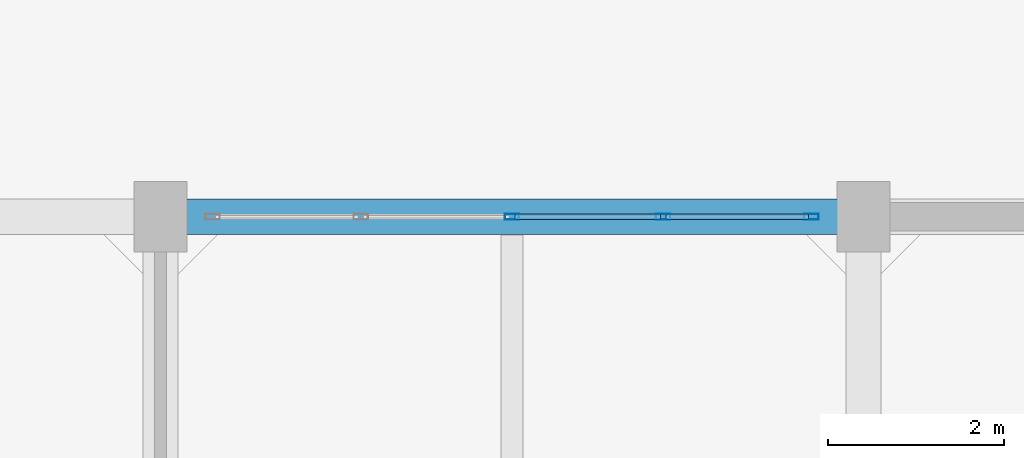
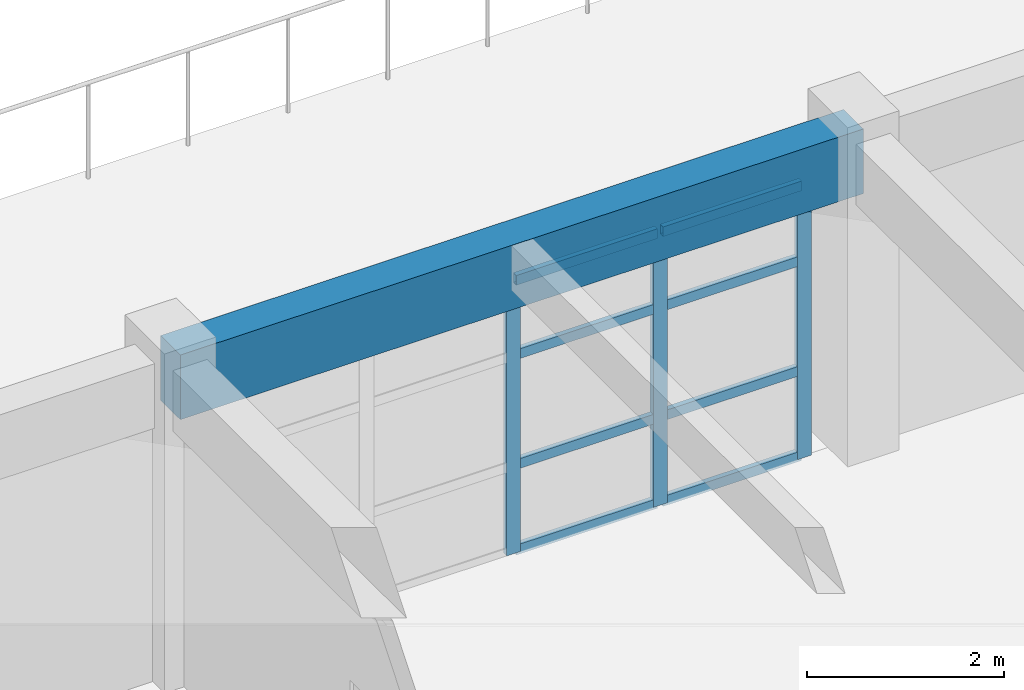
# One storey, part 19 of 30: 11 members, 1 beam, 1 element without a shape of its own.
"""IFC4 building model written with IfcOpenShell, lengths in metres."""

from ifc_helpers import new_model, si_unit, direction, frame, origin, origin_2d, place, context, subcontext, project, spatial, rectangle, hollow_rectangle, extrude, material, layer, layer_set, material_profile, profile_set, type_object, element, aggregate, save


model = new_model("IFC4")

# Units and contexts
model_context = context("Model", 3, precision=1e-05, world=origin(), true_north=direction((0.0, 1.0)))
body_context = subcontext(model_context, "Body", "Model", "MODEL_VIEW")
ifc_project = project(units=[si_unit("LENGTHUNIT", "METRE"), si_unit("AREAUNIT", "SQUARE_METRE"), si_unit("VOLUMEUNIT", "CUBIC_METRE"), si_unit("PLANEANGLEUNIT", "RADIAN"), si_unit("MASSUNIT", "GRAM", prefix="KILO")], contexts=[model_context])

# Site, building, storey
site_placement = place(None, origin())
site = spatial("IfcSite", under=ifc_project, at=site_placement, CompositionType="ELEMENT")
building_placement = place(site_placement, origin())
building = spatial("IfcBuilding", under=site, at=building_placement, Name="Canggui Botanical Conservatory", CompositionType="ELEMENT")
storey_placement = place(building_placement, frame((0.0, 0.0, 19.199951171875)))
storey = spatial("IfcBuildingStorey", under=building, at=storey_placement, Name="L05", CompositionType="ELEMENT", Elevation=19.199951171875)

# Beam
ifc_material_1 = material(Name="Concrete C35", Category="concrete")
ifc_material_profile_1 = material_profile(ifc_material_1, rectangle(XDim=0.39990234375, YDim=0.800048828125, at=origin_2d()), Name="RB 400x800")
ifc_profile_set_1 = profile_set([ifc_material_profile_1], Name="Concrete C35")
beam_type = type_object("IfcBeamType", Name="BM-KL09", PredefinedType="BEAM", material=ifc_profile_set_1)
beam_placement = place(storey_placement, frame((162.0, 74.0, 3.56005859375), z_axis=(1.0, 0.0, 0.0), x_axis=(0.0, 1.0, 0.0)))
element("IfcBeam", 1, at=beam_placement, inside=storey, type_object=beam_type, Name="Frame Girder L05 Y74-4", PredefinedType="BEAM", context=body_context, shape_type="SweptSolid", body=[
    extrude(rectangle(XDim=0.39990234375, YDim=0.800048828125, at=origin_2d()), origin(), (0.0, 0.0, 1.0), 8.0),
])

# Curtain wall, members
ifc_material_2 = material(Name="Thermally Broken Aluminium", Category="aluminium")
ifc_layer = layer(ifc_material_2, 0.1650390625, Name="Thermally Broken Aluminium", Category="aluminium")
ifc_layer_set = layer_set([ifc_layer], Name="Thermally Broken Aluminium")
curtain_wall_type = type_object("IfcCurtainWallType", Name="CW-UNIT-B", PredefinedType="USERDEFINED", material=ifc_layer_set)
curtain_wall_placement = place(storey_placement, origin())
curtain_wall = element("IfcCurtainWall", 2, at=curtain_wall_placement, inside=storey, type_object=curtain_wall_type, Name="Facade Curtain Wall CW-TWR-L05-15", ObjectType="UNITISED CURTAIN WALL", PredefinedType="USERDEFINED")
ifc_material_profile_2 = material_profile(ifc_material_2, hollow_rectangle(XDim=0.06494140625, YDim=0.1650390625, WallThickness=0.00390625, at=origin_2d()), Name="CWM 65x165x4")
ifc_profile_set_2 = profile_set([ifc_material_profile_2], Name="Thermally Broken Aluminium")
member_type_1 = type_object("IfcMemberType", Name="CWM-02", PredefinedType="MULLION", material=ifc_profile_set_2)
member_1_placement = place(storey_placement, frame((166.0, 74.0, 0.0), z_axis=(0.0, 0.0, 1.0), x_axis=(0.0, 1.0, 0.0)))
member_1 = element("IfcMember", 3, at=member_1_placement, type_object=member_type_1, Name="CW-02 mullion 3", PredefinedType="MULLION", context=body_context, shape_type="SweptSolid", body=[
    extrude(hollow_rectangle(XDim=0.06494140625, YDim=0.1650390625, WallThickness=0.00390625, at=origin_2d()), origin(), (0.0, 0.0, 1.0), 3.400146484375),
])
member_2_placement = place(storey_placement, frame((167.719970703125, 74.0, 0.0), z_axis=(0.0, 0.0, 1.0), x_axis=(0.0, 1.0, 0.0)))
member_2 = element("IfcMember", 4, at=member_2_placement, type_object=member_type_1, Name="CW-02 mullion 4", PredefinedType="MULLION", context=body_context, shape_type="SweptSolid", body=[
    extrude(hollow_rectangle(XDim=0.06494140625, YDim=0.1650390625, WallThickness=0.00390625, at=origin_2d()), origin(), (0.0, 0.0, 1.0), 3.400146484375),
])
member_3_placement = place(storey_placement, frame((169.407470703125, 74.0, 0.0), z_axis=(0.0, 0.0, 1.0), x_axis=(0.0, 1.0, 0.0)))
member_3 = element("IfcMember", 5, at=member_3_placement, type_object=member_type_1, Name="CW-02 mullion 5", PredefinedType="MULLION", context=body_context, shape_type="SweptSolid", body=[
    extrude(hollow_rectangle(XDim=0.06494140625, YDim=0.1650390625, WallThickness=0.00390625, at=origin_2d()), origin(), (0.0, 0.0, 1.0), 3.400146484375),
])
ifc_material_profile_3 = material_profile(ifc_material_2, hollow_rectangle(XDim=0.06005859375, YDim=0.1201171875, WallThickness=0.00341796875, at=origin_2d()), Name="CWT 60x120x3.5")
ifc_profile_set_3 = profile_set([ifc_material_profile_3], Name="Thermally Broken Aluminium")
member_type_2 = type_object("IfcMemberType", Name="CWT-02", PredefinedType="USERDEFINED", material=ifc_profile_set_3)
member_4_placement = place(storey_placement, frame((166.032470703125, 74.0, 0.030029296875), z_axis=(1.0, 0.0, 0.0), x_axis=(0.0, 1.0, 0.0)))
member_4 = element("IfcMember", 6, at=member_4_placement, type_object=member_type_2, Name="CW-02 transom 3.1", ObjectType="TRANSOM", PredefinedType="USERDEFINED", context=body_context, shape_type="SweptSolid", body=[
    extrude(hollow_rectangle(XDim=0.06005859375, YDim=0.1201171875, WallThickness=0.00341796875, at=origin_2d()), origin(), (0.0, 0.0, 1.0), 1.655029296875),
])
member_5_placement = place(storey_placement, frame((166.032470703125, 74.0, 1.088134765625), z_axis=(1.0, 0.0, 0.0), x_axis=(0.0, 1.0, 0.0)))
member_5 = element("IfcMember", 7, at=member_5_placement, type_object=member_type_2, Name="CW-02 transom 3.2", ObjectType="TRANSOM", PredefinedType="USERDEFINED", context=body_context, shape_type="SweptSolid", body=[
    extrude(hollow_rectangle(XDim=0.06005859375, YDim=0.1201171875, WallThickness=0.00341796875, at=origin_2d()), origin(), (0.0, 0.0, 1.0), 1.655029296875),
])
member_6_placement = place(storey_placement, frame((166.032470703125, 74.0, 2.447998046875), z_axis=(1.0, 0.0, 0.0), x_axis=(0.0, 1.0, 0.0)))
member_6 = element("IfcMember", 8, at=member_6_placement, type_object=member_type_2, Name="CW-02 transom 3.3", ObjectType="TRANSOM", PredefinedType="USERDEFINED", context=body_context, shape_type="SweptSolid", body=[
    extrude(hollow_rectangle(XDim=0.06005859375, YDim=0.1201171875, WallThickness=0.00341796875, at=origin_2d()), origin(), (0.0, 0.0, 1.0), 1.655029296875),
])
member_7_placement = place(storey_placement, frame((166.032470703125, 74.0, 3.3701171875), z_axis=(1.0, 0.0, 0.0), x_axis=(0.0, 1.0, 0.0)))
member_7 = element("IfcMember", 9, at=member_7_placement, type_object=member_type_2, Name="CW-02 transom 3.4", ObjectType="TRANSOM", PredefinedType="USERDEFINED", context=body_context, shape_type="SweptSolid", body=[
    extrude(hollow_rectangle(XDim=0.06005859375, YDim=0.1201171875, WallThickness=0.00341796875, at=origin_2d()), origin(), (0.0, 0.0, 1.0), 1.655029296875),
])
member_8_placement = place(storey_placement, frame((167.75244140625, 74.0, 0.030029296875), z_axis=(1.0, 0.0, 0.0), x_axis=(0.0, 1.0, 0.0)))
member_8 = element("IfcMember", 10, at=member_8_placement, type_object=member_type_2, Name="CW-02 transom 4.1", ObjectType="TRANSOM", PredefinedType="USERDEFINED", context=body_context, shape_type="SweptSolid", body=[
    extrude(hollow_rectangle(XDim=0.06005859375, YDim=0.1201171875, WallThickness=0.00341796875, at=origin_2d()), origin(), (0.0, 0.0, 1.0), 1.62255859375),
])
member_9_placement = place(storey_placement, frame((167.75244140625, 74.0, 1.088134765625), z_axis=(1.0, 0.0, 0.0), x_axis=(0.0, 1.0, 0.0)))
member_9 = element("IfcMember", 11, at=member_9_placement, type_object=member_type_2, Name="CW-02 transom 4.2", ObjectType="TRANSOM", PredefinedType="USERDEFINED", context=body_context, shape_type="SweptSolid", body=[
    extrude(hollow_rectangle(XDim=0.06005859375, YDim=0.1201171875, WallThickness=0.00341796875, at=origin_2d()), origin(), (0.0, 0.0, 1.0), 1.62255859375),
])
member_10_placement = place(storey_placement, frame((167.75244140625, 74.0, 2.447998046875), z_axis=(1.0, 0.0, 0.0), x_axis=(0.0, 1.0, 0.0)))
member_10 = element("IfcMember", 12, at=member_10_placement, type_object=member_type_2, Name="CW-02 transom 4.3", ObjectType="TRANSOM", PredefinedType="USERDEFINED", context=body_context, shape_type="SweptSolid", body=[
    extrude(hollow_rectangle(XDim=0.06005859375, YDim=0.1201171875, WallThickness=0.00341796875, at=origin_2d()), origin(), (0.0, 0.0, 1.0), 1.62255859375),
])
member_11_placement = place(storey_placement, frame((167.75244140625, 74.0, 3.3701171875), z_axis=(1.0, 0.0, 0.0), x_axis=(0.0, 1.0, 0.0)))
member_11 = element("IfcMember", 13, at=member_11_placement, type_object=member_type_2, Name="CW-02 transom 4.4", ObjectType="TRANSOM", PredefinedType="USERDEFINED", context=body_context, shape_type="SweptSolid", body=[
    extrude(hollow_rectangle(XDim=0.06005859375, YDim=0.1201171875, WallThickness=0.00341796875, at=origin_2d()), origin(), (0.0, 0.0, 1.0), 1.62255859375),
])
aggregate(curtain_wall, [member_1, member_2, member_3, member_4, member_5, member_6, member_7, member_8, member_9, member_10, member_11])

save(model, "model.ifc")
